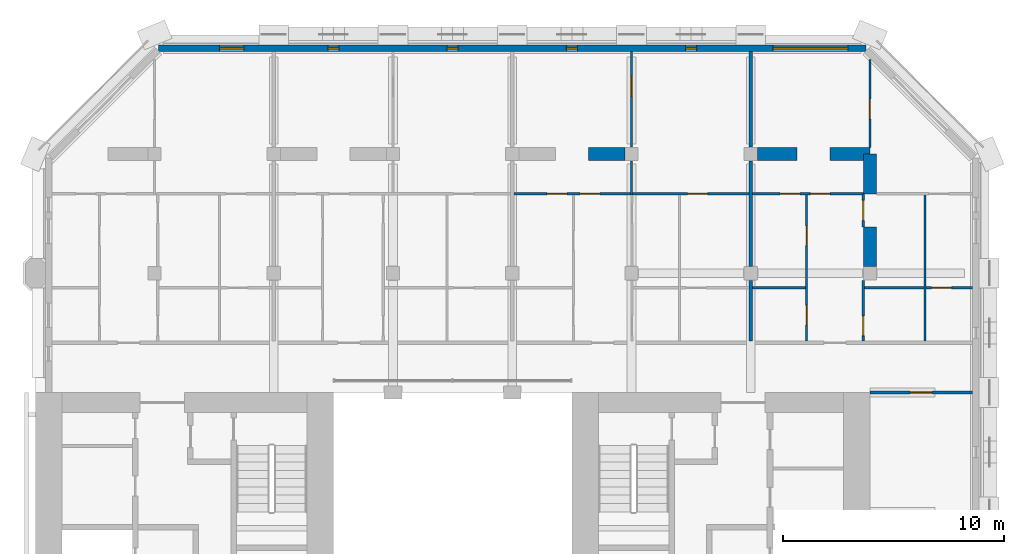
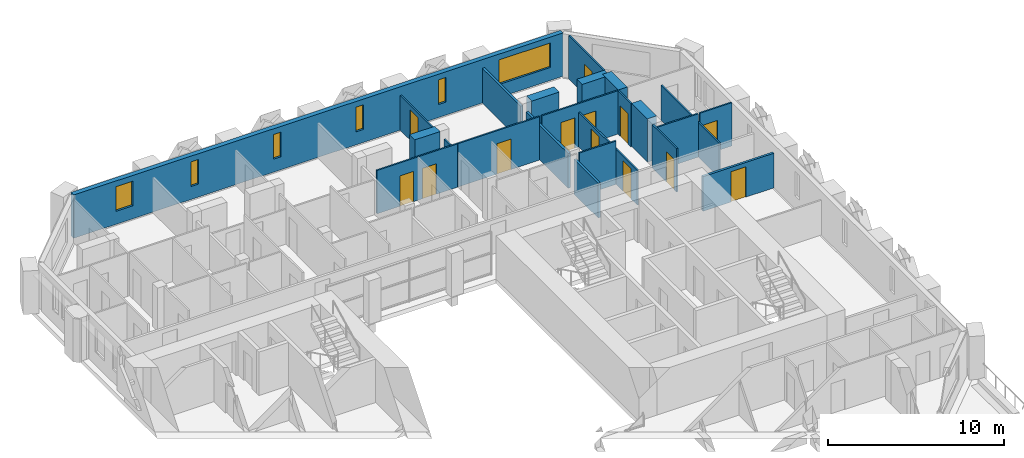
# One storey, part 13 of 17: 23 walls, 13 doors, 6 windows, 19 openings.
"""IFC4 building model written with IfcOpenShell, lengths in metres."""

from ifc_helpers import new_model, si_unit, direction, frame, frame_2d, origin, place, context, subcontext, project, spatial, rectangle, extrude, material, layer, layer_set, type_object, element, fill, save


model = new_model("IFC4")

# Units and contexts
model_context = context("Model", 3, precision=1e-05, world=origin(), true_north=direction((0.0, 1.0)))
body_context = subcontext(model_context, "Body", "Model", "MODEL_VIEW")
ifc_project = project(units=[si_unit("LENGTHUNIT", "METRE"), si_unit("AREAUNIT", "SQUARE_METRE"), si_unit("VOLUMEUNIT", "CUBIC_METRE"), si_unit("PLANEANGLEUNIT", "RADIAN"), si_unit("MASSUNIT", "GRAM", prefix="KILO")], contexts=[model_context])

# Site, building, storey
site_placement = place(None, origin())
site = spatial("IfcSite", under=ifc_project, at=site_placement, CompositionType="ELEMENT")
building_placement = place(site_placement, origin())
building = spatial("IfcBuilding", under=site, at=building_placement, Name="Tabaq Tower and Sports Hall", CompositionType="ELEMENT")
storey_placement = place(building_placement, frame((0.0, 0.0, 288.39990234375)))
storey = spatial("IfcBuildingStorey", under=building, at=storey_placement, Name="L71", CompositionType="ELEMENT", Elevation=288.39990234375)

# Wall
ifc_material_1 = material(Name="Gypsum board on steel studs", Category="steel")
ifc_layer_1 = layer(ifc_material_1, 0.10009765625)
ifc_layer_set_1 = layer_set([ifc_layer_1], Name="Partition 100 Gypsum board")
wall_type_1 = type_object("IfcWallType", Name="Partition 100 Gypsum board", PredefinedType="PARTITIONING", material=ifc_layer_set_1)
wall_1_placement = place(storey_placement, frame((32.39990234375, 41.35009765625, 0.0), z_axis=(0.0, 0.0, 1.0), x_axis=(0.0, 1.0, 0.0)))
element("IfcWall", 1, at=wall_1_placement, inside=storey, type_object=wall_type_1, Name="Partition wall L71", PredefinedType="PARTITIONING", context=body_context, shape_type="SweptSolid", body=[
    extrude(rectangle(XDim=1.52978515625, YDim=0.10009765625, at=frame_2d((0.764892578125, 0.0))), origin(), (0.0, 0.0, 1.0), 2.400146484375),
])

# Wall, opening, door
wall_2_placement = place(storey_placement, frame((32.39990234375, 43.52001953125, 0.0), z_axis=(0.0, 0.0, 1.0), x_axis=(0.0, 1.0, 0.0)))
wall_2 = element("IfcWall", 2, at=wall_2_placement, inside=storey, type_object=wall_type_1, Name="Partition wall L71", PredefinedType="PARTITIONING", context=body_context, shape_type="SweptSolid", body=[
    extrude(rectangle(XDim=4.3291015625, YDim=0.10009765625, at=frame_2d((2.16455078125, 0.0))), origin(), (0.0, 0.0, 1.0), 2.400146484375),
])
opening_1_placement = place(wall_2_placement, frame((2.304931640625, 0.0, 0.0)))
opening_1 = element("IfcOpeningElement", 3, at=opening_1_placement, cuts=wall_2, Name="Opening L71-039", PredefinedType="OPENING", context=body_context, shape_type="SweptSolid", body=[
    extrude(rectangle(XDim=0.89990234375, YDim=2.10009765625, at=frame_2d((0.449951171875, 1.050048828125))), frame((0.0, 0.050048828125, 0.0), z_axis=(0.0, -1.0, 0.0), x_axis=(1.0, 0.0, 0.0)), (0.0, 0.0, 1.0), 0.10009765625),
])
ifc_material_2 = material(Name="Timber leaf in steel frame", Category="steel")
door_type_1 = type_object("IfcDoorType", Name="Internal door 900 left hand", OperationType="SINGLE_SWING_LEFT", PredefinedType="DOOR", material=ifc_material_2)
door_1_placement = place(opening_1_placement, origin())
door_1 = element("IfcDoor", 4, at=door_1_placement, inside=storey, type_object=door_type_1, Name="Internal door L71-039", OperationType="SINGLE_SWING_LEFT", OverallHeight=2.10009765625, OverallWidth=0.89990234375, PredefinedType="DOOR", context=body_context, shape_type="SweptSolid", body=[
    extrude(rectangle(XDim=0.89990234375, YDim=2.10009765625, at=frame_2d((0.449951171875, 1.050048828125))), frame((0.0, 0.02490234375, 0.0), z_axis=(0.0, -1.0, 0.0), x_axis=(1.0, 0.0, 0.0)), (0.0, 0.0, 1.0), 0.050048828125),
])
fill(opening_1, door_1)

# Wall, openings, doors
wall_3_placement = place(storey_placement, frame((27.074951171875, 41.39990234375, 0.0), z_axis=(0.0, 0.0, 1.0), x_axis=(1.0, 0.0, 0.0)))
wall_3 = element("IfcWall", 5, at=wall_3_placement, inside=storey, type_object=wall_type_1, Name="Partition wall L71", PredefinedType="PARTITIONING", context=body_context, shape_type="SweptSolid", body=[
    extrude(rectangle(XDim=5.275146484375, YDim=0.10009765625, at=frame_2d((2.6376953125, 0.0))), origin(), (0.0, 0.0, 1.0), 3.0),
])
opening_2_placement = place(wall_3_placement, frame((1.4951171875, 0.0, 0.0)))
opening_2 = element("IfcOpeningElement", 6, at=opening_2_placement, cuts=wall_3, Name="Opening L71-040", PredefinedType="OPENING", context=body_context, shape_type="SweptSolid", body=[
    extrude(rectangle(XDim=0.89990234375, YDim=2.10009765625, at=frame_2d((0.449951171875, 1.050048828125))), frame((0.0, 0.050048828125, 0.0), z_axis=(0.0, -1.0, 0.0), x_axis=(1.0, 0.0, 0.0)), (0.0, 0.0, 1.0), 0.10009765625),
])
opening_3_placement = place(wall_3_placement, frame((2.9951171875, 0.0, 0.0)))
opening_3 = element("IfcOpeningElement", 7, at=opening_3_placement, cuts=wall_3, Name="Opening L71-054", PredefinedType="OPENING", context=body_context, shape_type="SweptSolid", body=[
    extrude(rectangle(XDim=0.89990234375, YDim=2.10009765625, at=frame_2d((0.449951171875, 1.050048828125))), frame((0.0, 0.050048828125, 0.0), z_axis=(0.0, -1.0, 0.0), x_axis=(1.0, 0.0, 0.0)), (0.0, 0.0, 1.0), 0.10009765625),
])
door_2_placement = place(opening_3_placement, origin())
door_2 = element("IfcDoor", 8, at=door_2_placement, inside=storey, type_object=door_type_1, Name="Internal door L71-054", OperationType="SINGLE_SWING_LEFT", OverallHeight=2.10009765625, OverallWidth=0.89990234375, PredefinedType="DOOR", context=body_context, shape_type="SweptSolid", body=[
    extrude(rectangle(XDim=0.89990234375, YDim=2.10009765625, at=frame_2d((0.449951171875, 1.050048828125))), frame((0.0, 0.02490234375, 0.0), z_axis=(0.0, -1.0, 0.0), x_axis=(1.0, 0.0, 0.0)), (0.0, 0.0, 1.0), 0.050048828125),
])
fill(opening_3, door_2)
ifc_material_3 = material(Name="Timber leaf in steel frame", Category="steel")
door_type_2 = type_object("IfcDoorType", Name="Internal door 900 right hand", OperationType="SINGLE_SWING_RIGHT", PredefinedType="DOOR", material=ifc_material_3)
door_3_placement = place(opening_2_placement, origin())
door_3 = element("IfcDoor", 9, at=door_3_placement, inside=storey, type_object=door_type_2, Name="Internal door L71-040", OperationType="SINGLE_SWING_RIGHT", OverallHeight=2.10009765625, OverallWidth=0.89990234375, PredefinedType="DOOR", context=body_context, shape_type="SweptSolid", body=[
    extrude(rectangle(XDim=0.89990234375, YDim=2.10009765625, at=frame_2d((0.449951171875, 1.050048828125))), frame((0.0, 0.02490234375, 0.0), z_axis=(0.0, -1.0, 0.0), x_axis=(1.0, 0.0, 0.0)), (0.0, 0.0, 1.0), 0.050048828125),
])
fill(opening_2, door_3)

# Wall, opening, door
wall_4_placement = place(storey_placement, frame((32.3701171875, 41.39990234375, 0.0), z_axis=(0.0, 0.0, 1.0), x_axis=(1.0, 0.0, 0.0)))
wall_4 = element("IfcWall", 10, at=wall_4_placement, inside=storey, type_object=wall_type_1, Name="Partition wall L71", PredefinedType="PARTITIONING", context=body_context, shape_type="SweptSolid", body=[
    extrude(rectangle(XDim=5.35498046875, YDim=0.10009765625, at=frame_2d((2.677490234375, 0.0))), origin(), (0.0, 0.0, 1.0), 3.0),
])
opening_4_placement = place(wall_4_placement, frame((2.577880859375, 0.0, 0.0)))
opening_4 = element("IfcOpeningElement", 11, at=opening_4_placement, cuts=wall_4, Name="Opening L71-041", PredefinedType="OPENING", context=body_context, shape_type="SweptSolid", body=[
    extrude(rectangle(XDim=0.89990234375, YDim=2.10009765625, at=frame_2d((0.449951171875, 1.050048828125))), frame((0.0, 0.050048828125, 0.0), z_axis=(0.0, -1.0, 0.0), x_axis=(1.0, 0.0, 0.0)), (0.0, 0.0, 1.0), 0.10009765625),
])
door_4_placement = place(opening_4_placement, origin())
door_4 = element("IfcDoor", 12, at=door_4_placement, inside=storey, type_object=door_type_1, Name="Internal door L71-041", OperationType="SINGLE_SWING_LEFT", OverallHeight=2.10009765625, OverallWidth=0.89990234375, PredefinedType="DOOR", context=body_context, shape_type="SweptSolid", body=[
    extrude(rectangle(XDim=0.89990234375, YDim=2.10009765625, at=frame_2d((0.449951171875, 1.050048828125))), frame((0.0, 0.02490234375, 0.0), z_axis=(0.0, -1.0, 0.0), x_axis=(1.0, 0.0, 0.0)), (0.0, 0.0, 1.0), 0.050048828125),
])
fill(opening_4, door_4)

wall_5_placement = place(storey_placement, frame((43.199951171875, 43.5009765625, 0.0), z_axis=(0.0, 0.0, 1.0), x_axis=(0.0, 1.0, 0.0)))
wall_5 = element("IfcWall", 13, at=wall_5_placement, inside=storey, type_object=wall_type_1, Name="Partition wall L71", PredefinedType="PARTITIONING", context=body_context, shape_type="SweptSolid", body=[
    extrude(rectangle(XDim=3.98681640625, YDim=0.10009765625, at=frame_2d((1.993408203125, 0.0))), origin(), (0.0, 0.0, 1.0), 3.0),
])
opening_5_placement = place(wall_5_placement, frame((1.285888671875, 0.0, 0.0)))
opening_5 = element("IfcOpeningElement", 14, at=opening_5_placement, cuts=wall_5, Name="Opening L71-043", PredefinedType="OPENING", context=body_context, shape_type="SweptSolid", body=[
    extrude(rectangle(XDim=0.89990234375, YDim=2.10009765625, at=frame_2d((0.449951171875, 1.050048828125))), frame((0.0, 0.050048828125, 0.0), z_axis=(0.0, -1.0, 0.0), x_axis=(1.0, 0.0, 0.0)), (0.0, 0.0, 1.0), 0.10009765625),
])
door_5_placement = place(opening_5_placement, origin())
door_5 = element("IfcDoor", 15, at=door_5_placement, inside=storey, type_object=door_type_1, Name="Internal door L71-043", OperationType="SINGLE_SWING_LEFT", OverallHeight=2.10009765625, OverallWidth=0.89990234375, PredefinedType="DOOR", context=body_context, shape_type="SweptSolid", body=[
    extrude(rectangle(XDim=0.89990234375, YDim=2.10009765625, at=frame_2d((0.449951171875, 1.050048828125))), frame((0.0, 0.02490234375, 0.0), z_axis=(0.0, -1.0, 0.0), x_axis=(1.0, 0.0, 0.0)), (0.0, 0.0, 1.0), 0.050048828125),
])
fill(opening_5, door_5)

# Wall, openings, doors
wall_6_placement = place(storey_placement, frame((37.875, 41.39990234375, 0.0), z_axis=(0.0, 0.0, 1.0), x_axis=(1.0, 0.0, 0.0)))
wall_6 = element("IfcWall", 16, at=wall_6_placement, inside=storey, type_object=wall_type_1, Name="Partition wall L71", PredefinedType="PARTITIONING", context=body_context, shape_type="SweptSolid", body=[
    extrude(rectangle(XDim=5.02392578125, YDim=0.10009765625, at=frame_2d((2.511962890625, 0.0))), origin(), (0.0, 0.0, 1.0), 3.0),
])
opening_6_placement = place(wall_6_placement, frame((1.256103515625, 0.0, 0.0)))
opening_6 = element("IfcOpeningElement", 17, at=opening_6_placement, cuts=wall_6, Name="Opening L71-044", PredefinedType="OPENING", context=body_context, shape_type="SweptSolid", body=[
    extrude(rectangle(XDim=0.89990234375, YDim=2.10009765625, at=frame_2d((0.449951171875, 1.050048828125))), frame((0.0, 0.050048828125, 0.0), z_axis=(0.0, -1.0, 0.0), x_axis=(1.0, 0.0, 0.0)), (0.0, 0.0, 1.0), 0.10009765625),
])
opening_7_placement = place(wall_6_placement, frame((2.6259765625, 0.0, 0.0)))
opening_7 = element("IfcOpeningElement", 18, at=opening_7_placement, cuts=wall_6, Name="Opening L71-055", PredefinedType="OPENING", context=body_context, shape_type="SweptSolid", body=[
    extrude(rectangle(XDim=0.89990234375, YDim=2.10009765625, at=frame_2d((0.449951171875, 1.050048828125))), frame((0.0, 0.050048828125, 0.0), z_axis=(0.0, -1.0, 0.0), x_axis=(1.0, 0.0, 0.0)), (0.0, 0.0, 1.0), 0.10009765625),
])
door_6_placement = place(opening_6_placement, origin())
door_6 = element("IfcDoor", 19, at=door_6_placement, inside=storey, type_object=door_type_1, Name="Internal door L71-044", OperationType="SINGLE_SWING_LEFT", OverallHeight=2.10009765625, OverallWidth=0.89990234375, PredefinedType="DOOR", context=body_context, shape_type="SweptSolid", body=[
    extrude(rectangle(XDim=0.89990234375, YDim=2.10009765625, at=frame_2d((0.449951171875, 1.050048828125))), frame((0.0, 0.02490234375, 0.0), z_axis=(0.0, -1.0, 0.0), x_axis=(1.0, 0.0, 0.0)), (0.0, 0.0, 1.0), 0.050048828125),
])
fill(opening_6, door_6)
door_7_placement = place(opening_7_placement, origin())
door_7 = element("IfcDoor", 20, at=door_7_placement, inside=storey, type_object=door_type_2, Name="Internal door L71-055", OperationType="SINGLE_SWING_RIGHT", OverallHeight=2.10009765625, OverallWidth=0.89990234375, PredefinedType="DOOR", context=body_context, shape_type="SweptSolid", body=[
    extrude(rectangle(XDim=0.89990234375, YDim=2.10009765625, at=frame_2d((0.449951171875, 1.050048828125))), frame((0.0, 0.02490234375, 0.0), z_axis=(0.0, -1.0, 0.0), x_axis=(1.0, 0.0, 0.0)), (0.0, 0.0, 1.0), 0.050048828125),
])
fill(opening_7, door_7)

# Wall
wall_7_placement = place(storey_placement, frame((37.875, 37.14990234375, 0.0), z_axis=(0.0, 0.0, 1.0), x_axis=(1.0, 0.0, 0.0)))
element("IfcWall", 21, at=wall_7_placement, inside=storey, type_object=wall_type_1, Name="Partition wall L71", PredefinedType="PARTITIONING", context=body_context, shape_type="SweptSolid", body=[
    extrude(rectangle(XDim=2.406005859375, YDim=0.10009765625, at=frame_2d((1.203125, 0.0))), origin(), (0.0, 0.0, 1.0), 3.0),
])

# Wall, openings, doors
wall_8_placement = place(storey_placement, frame((40.3310546875, 34.72509765625, 0.0), z_axis=(0.0, 0.0, 1.0), x_axis=(0.0, 1.0, 0.0)))
wall_8 = element("IfcWall", 22, at=wall_8_placement, inside=storey, type_object=wall_type_1, Name="Partition wall L71", PredefinedType="PARTITIONING", context=body_context, shape_type="SweptSolid", body=[
    extrude(rectangle(XDim=6.625, YDim=0.10009765625, at=frame_2d((3.3125, 0.0))), origin(), (0.0, 0.0, 1.0), 2.400146484375),
])
opening_8_placement = place(wall_8_placement, frame((0.72509765625, 0.0, 0.0)))
opening_8 = element("IfcOpeningElement", 23, at=opening_8_placement, cuts=wall_8, Name="Opening L71-013", PredefinedType="OPENING", context=body_context, shape_type="SweptSolid", body=[
    extrude(rectangle(XDim=0.89990234375, YDim=2.10009765625, at=frame_2d((0.449951171875, 1.050048828125))), frame((0.0, 0.050048828125, 0.0), z_axis=(0.0, -1.0, 0.0), x_axis=(1.0, 0.0, 0.0)), (0.0, 0.0, 1.0), 0.10009765625),
])
opening_9_placement = place(wall_8_placement, frame((4.3291015625, 0.0, 0.0)))
opening_9 = element("IfcOpeningElement", 24, at=opening_9_placement, cuts=wall_8, Name="Opening L71-046", PredefinedType="OPENING", context=body_context, shape_type="SweptSolid", body=[
    extrude(rectangle(XDim=0.89990234375, YDim=2.10009765625, at=frame_2d((0.449951171875, 1.050048828125))), frame((0.0, 0.050048828125, 0.0), z_axis=(0.0, -1.0, 0.0), x_axis=(1.0, 0.0, 0.0)), (0.0, 0.0, 1.0), 0.10009765625),
])
door_8_placement = place(opening_9_placement, origin())
door_8 = element("IfcDoor", 25, at=door_8_placement, inside=storey, type_object=door_type_1, Name="Internal door L71-046", OperationType="SINGLE_SWING_LEFT", OverallHeight=2.10009765625, OverallWidth=0.89990234375, PredefinedType="DOOR", context=body_context, shape_type="SweptSolid", body=[
    extrude(rectangle(XDim=0.89990234375, YDim=2.10009765625, at=frame_2d((0.449951171875, 1.050048828125))), frame((0.0, 0.02490234375, 0.0), z_axis=(0.0, -1.0, 0.0), x_axis=(1.0, 0.0, 0.0)), (0.0, 0.0, 1.0), 0.050048828125),
])
fill(opening_9, door_8)
door_9_placement = place(opening_8_placement, origin())
door_9 = element("IfcDoor", 26, at=door_9_placement, inside=storey, type_object=door_type_2, Name="Internal door L71-013", OperationType="SINGLE_SWING_RIGHT", OverallHeight=2.10009765625, OverallWidth=0.89990234375, PredefinedType="DOOR", context=body_context, shape_type="SweptSolid", body=[
    extrude(rectangle(XDim=0.89990234375, YDim=2.10009765625, at=frame_2d((0.449951171875, 1.050048828125))), frame((0.0, 0.02490234375, 0.0), z_axis=(0.0, -1.0, 0.0), x_axis=(1.0, 0.0, 0.0)), (0.0, 0.0, 1.0), 0.050048828125),
])
fill(opening_8, door_9)

# Wall, opening, door
wall_9_placement = place(storey_placement, frame((42.89990234375, 34.72509765625, 0.0), z_axis=(0.0, 0.0, 1.0), x_axis=(0.0, 1.0, 0.0)))
wall_9 = element("IfcWall", 27, at=wall_9_placement, inside=storey, type_object=wall_type_1, Name="Partition wall L71", PredefinedType="PARTITIONING", context=body_context, shape_type="SweptSolid", body=[
    extrude(rectangle(XDim=2.7548828125, YDim=0.10009765625, at=frame_2d((1.37744140625, 0.0))), origin(), (0.0, 0.0, 1.0), 3.0),
])
opening_10_placement = place(wall_9_placement, frame((0.25, 0.0, 0.0)))
opening_10 = element("IfcOpeningElement", 28, at=opening_10_placement, cuts=wall_9, Name="Opening L71-015", PredefinedType="OPENING", context=body_context, shape_type="SweptSolid", body=[
    extrude(rectangle(XDim=0.89990234375, YDim=2.10009765625, at=frame_2d((0.449951171875, 1.050048828125))), frame((0.0, 0.050048828125, 0.0), z_axis=(0.0, -1.0, 0.0), x_axis=(1.0, 0.0, 0.0)), (0.0, 0.0, 1.0), 0.10009765625),
])
door_10_placement = place(opening_10_placement, origin())
door_10 = element("IfcDoor", 29, at=door_10_placement, inside=storey, type_object=door_type_1, Name="Internal door L71-015", OperationType="SINGLE_SWING_LEFT", OverallHeight=2.10009765625, OverallWidth=0.89990234375, PredefinedType="DOOR", context=body_context, shape_type="SweptSolid", body=[
    extrude(rectangle(XDim=0.89990234375, YDim=2.10009765625, at=frame_2d((0.449951171875, 1.050048828125))), frame((0.0, 0.02490234375, 0.0), z_axis=(0.0, -1.0, 0.0), x_axis=(1.0, 0.0, 0.0)), (0.0, 0.0, 1.0), 0.050048828125),
])
fill(opening_10, door_10)

wall_10_placement = place(storey_placement, frame((42.89990234375, 39.89990234375, 0.0), z_axis=(0.0, 0.0, 1.0), x_axis=(0.0, 1.0, 0.0)))
wall_10 = element("IfcWall", 30, at=wall_10_placement, inside=storey, type_object=wall_type_1, Name="Partition wall L71", PredefinedType="PARTITIONING", context=body_context, shape_type="SweptSolid", body=[
    extrude(rectangle(XDim=1.5, YDim=0.10009765625, at=frame_2d((0.75, 0.0))), origin(), (0.0, 0.0, 1.0), 3.0),
])
opening_11_placement = place(wall_10_placement, frame((0.300048828125, 0.0, 0.0)))
opening_11 = element("IfcOpeningElement", 31, at=opening_11_placement, cuts=wall_10, Name="Opening L71-014", PredefinedType="OPENING", context=body_context, shape_type="SweptSolid", body=[
    extrude(rectangle(XDim=0.89990234375, YDim=2.10009765625, at=frame_2d((0.449951171875, 1.050048828125))), frame((0.0, 0.050048828125, 0.0), z_axis=(0.0, -1.0, 0.0), x_axis=(1.0, 0.0, 0.0)), (0.0, 0.0, 1.0), 0.10009765625),
])
door_11_placement = place(opening_11_placement, origin())
door_11 = element("IfcDoor", 32, at=door_11_placement, inside=storey, type_object=door_type_1, Name="Internal door L71-014", OperationType="SINGLE_SWING_LEFT", OverallHeight=2.10009765625, OverallWidth=0.89990234375, PredefinedType="DOOR", context=body_context, shape_type="SweptSolid", body=[
    extrude(rectangle(XDim=0.89990234375, YDim=2.10009765625, at=frame_2d((0.449951171875, 1.050048828125))), frame((0.0, 0.02490234375, 0.0), z_axis=(0.0, -1.0, 0.0), x_axis=(1.0, 0.0, 0.0)), (0.0, 0.0, 1.0), 0.050048828125),
])
fill(opening_11, door_11)

# Walls
wall_11_placement = place(storey_placement, frame((42.949951171875, 37.14990234375, 0.0), z_axis=(0.0, 0.0, 1.0), x_axis=(1.0, 0.0, 0.0)))
element("IfcWall", 33, at=wall_11_placement, inside=storey, type_object=wall_type_1, Name="Partition wall L71", PredefinedType="PARTITIONING", context=body_context, shape_type="SweptSolid", body=[
    extrude(rectangle(XDim=2.699951171875, YDim=0.10009765625, at=frame_2d((1.35009765625, 0.0))), origin(), (0.0, 0.0, 1.0), 3.0),
])
wall_12_placement = place(storey_placement, frame((45.699951171875, 34.72509765625, 0.0), z_axis=(0.0, 0.0, 1.0), x_axis=(0.0, 1.0, 0.0)))
element("IfcWall", 34, at=wall_12_placement, inside=storey, type_object=wall_type_1, Name="Partition wall L71", PredefinedType="PARTITIONING", context=body_context, shape_type="SweptSolid", body=[
    extrude(rectangle(XDim=6.625, YDim=0.10009765625, at=frame_2d((3.3125, 0.0))), origin(), (0.0, 0.0, 1.0), 2.400146484375),
])

# Wall, opening, door
wall_13_placement = place(storey_placement, frame((45.75, 37.14990234375, 0.0), z_axis=(0.0, 0.0, 1.0), x_axis=(1.0, 0.0, 0.0)))
wall_13 = element("IfcWall", 35, at=wall_13_placement, inside=storey, type_object=wall_type_1, Name="Partition wall L71", PredefinedType="PARTITIONING", context=body_context, shape_type="SweptSolid", body=[
    extrude(rectangle(XDim=2.09912109375, YDim=0.10009765625, at=frame_2d((1.049560546875, 0.0))), origin(), (0.0, 0.0, 1.0), 3.0),
])
opening_12_placement = place(wall_13_placement, frame((0.25, 0.0, 0.0)))
opening_12 = element("IfcOpeningElement", 36, at=opening_12_placement, cuts=wall_13, Name="Opening L71-016", PredefinedType="OPENING", context=body_context, shape_type="SweptSolid", body=[
    extrude(rectangle(XDim=0.89990234375, YDim=2.10009765625, at=frame_2d((0.449951171875, 1.050048828125))), frame((0.0, 0.050048828125, 0.0), z_axis=(0.0, -1.0, 0.0), x_axis=(1.0, 0.0, 0.0)), (0.0, 0.0, 1.0), 0.10009765625),
])
door_12_placement = place(opening_12_placement, origin())
door_12 = element("IfcDoor", 37, at=door_12_placement, inside=storey, type_object=door_type_1, Name="Internal door L71-016", OperationType="SINGLE_SWING_LEFT", OverallHeight=2.10009765625, OverallWidth=0.89990234375, PredefinedType="DOOR", context=body_context, shape_type="SweptSolid", body=[
    extrude(rectangle(XDim=0.89990234375, YDim=2.10009765625, at=frame_2d((0.449951171875, 1.050048828125))), frame((0.0, 0.02490234375, 0.0), z_axis=(0.0, -1.0, 0.0), x_axis=(1.0, 0.0, 0.0)), (0.0, 0.0, 1.0), 0.050048828125),
])
fill(opening_12, door_12)

# Walls
ifc_material_4 = material(Name="Concrete C40/50", Category="concrete")
ifc_layer_2 = layer(ifc_material_4, 0.60009765625)
ifc_layer_set_2 = layer_set([ifc_layer_2], Name="RC TRANSFER WALL 600 C40/50")
wall_type_2 = type_object("IfcWallType", Name="RC TRANSFER WALL 600 C40/50", PredefinedType="SHEAR", material=ifc_layer_set_2)
wall_14_placement = place(storey_placement, frame((43.199951171875, 38.10009765625, 0.0), z_axis=(0.0, 0.0, 1.0), x_axis=(0.0, 1.0, 0.0)))
element("IfcWall", 38, at=wall_14_placement, inside=storey, type_object=wall_type_2, Name="Transfer Wall L71 East 3", PredefinedType="SHEAR", context=body_context, shape_type="SweptSolid", body=[
    extrude(rectangle(XDim=1.7998046875, YDim=0.60009765625, at=frame_2d((0.89990234375, 0.0))), origin(), (0.0, 0.0, 1.0), 3.0),
])
wall_15_placement = place(storey_placement, frame((43.199951171875, 41.39990234375, 0.0), z_axis=(0.0, 0.0, 1.0), x_axis=(0.0, 1.0, 0.0)))
element("IfcWall", 39, at=wall_15_placement, inside=storey, type_object=wall_type_2, Name="Transfer Wall L71 East 4", PredefinedType="SHEAR", context=body_context, shape_type="SweptSolid", body=[
    extrude(rectangle(XDim=1.800048828125, YDim=0.60009765625, at=frame_2d((0.89990234375, 0.0))), origin(), (0.0, 0.0, 1.0), 3.0),
])
wall_16_placement = place(storey_placement, frame((30.449951171875, 43.199951171875, 0.0), z_axis=(0.0, 0.0, 1.0), x_axis=(1.0, 0.0, 0.0)))
element("IfcWall", 40, at=wall_16_placement, inside=storey, type_object=wall_type_2, Name="Transfer Wall L71 North 10", PredefinedType="SHEAR", context=body_context, shape_type="SweptSolid", body=[
    extrude(rectangle(XDim=1.650146484375, YDim=0.60009765625, at=frame_2d((0.8251953125, 0.0))), origin(), (0.0, 0.0, 1.0), 3.0),
])
wall_17_placement = place(storey_placement, frame((38.10009765625, 43.199951171875, 0.0), z_axis=(0.0, 0.0, 1.0), x_axis=(1.0, 0.0, 0.0)))
element("IfcWall", 41, at=wall_17_placement, inside=storey, type_object=wall_type_2, Name="Transfer Wall L71 North 11", PredefinedType="SHEAR", context=body_context, shape_type="SweptSolid", body=[
    extrude(rectangle(XDim=1.7998046875, YDim=0.60009765625, at=frame_2d((0.89990234375, 0.0))), origin(), (0.0, 0.0, 1.0), 3.0),
])
wall_18_placement = place(storey_placement, frame((41.39990234375, 43.199951171875, 0.0), z_axis=(0.0, 0.0, 1.0), x_axis=(1.0, 0.0, 0.0)))
element("IfcWall", 42, at=wall_18_placement, inside=storey, type_object=wall_type_2, Name="Transfer Wall L71 North 12", PredefinedType="SHEAR", context=body_context, shape_type="SweptSolid", body=[
    extrude(rectangle(XDim=1.800048828125, YDim=0.60009765625, at=frame_2d((0.89990234375, 0.0))), origin(), (0.0, 0.0, 1.0), 3.0),
])
ifc_material_5 = material(Name="Blockwork", Category="masonry")
ifc_layer_3 = layer(ifc_material_5, 0.14990234375)
ifc_layer_set_3 = layer_set([ifc_layer_3], Name="Separating wall 150 Blockwork")
wall_type_3 = type_object("IfcWallType", Name="Separating wall 150 Blockwork", PredefinedType="PARTITIONING", material=ifc_layer_set_3)
wall_19_placement = place(storey_placement, frame((37.800048828125, 43.52001953125, 0.0), z_axis=(0.0, 0.0, 1.0), x_axis=(0.0, 1.0, 0.0)))
element("IfcWall", 43, at=wall_19_placement, inside=storey, type_object=wall_type_3, Name="Separating wall L71", PredefinedType="PARTITIONING", context=body_context, shape_type="SweptSolid", body=[
    extrude(rectangle(XDim=4.3291015625, YDim=0.14990234375, at=frame_2d((2.16455078125, 0.0))), origin(), (0.0, 0.0, 1.0), 2.400146484375),
])
wall_20_placement = place(storey_placement, frame((37.800048828125, 38.1201171875, 0.0), z_axis=(0.0, 0.0, 1.0), x_axis=(0.0, 1.0, 0.0)))
element("IfcWall", 44, at=wall_20_placement, inside=storey, type_object=wall_type_3, Name="Separating wall L71", PredefinedType="PARTITIONING", context=body_context, shape_type="SweptSolid", body=[
    extrude(rectangle(XDim=4.759765625, YDim=0.14990234375, at=frame_2d((2.3798828125, 0.0))), origin(), (0.0, 0.0, 1.0), 2.400146484375),
])
wall_21_placement = place(storey_placement, frame((37.800048828125, 34.72509765625, 0.0), z_axis=(0.0, 0.0, 1.0), x_axis=(0.0, 1.0, 0.0)))
element("IfcWall", 45, at=wall_21_placement, inside=storey, type_object=wall_type_3, Name="Separating wall L71", PredefinedType="PARTITIONING", context=body_context, shape_type="SweptSolid", body=[
    extrude(rectangle(XDim=2.7548828125, YDim=0.14990234375, at=frame_2d((1.37744140625, 0.0))), origin(), (0.0, 0.0, 1.0), 2.400146484375),
])

# Wall, opening, door
wall_22_placement = place(storey_placement, frame((47.84912109375, 32.39990234375, 0.0), z_axis=(0.0, 0.0, 1.0), x_axis=(-1.0, 0.0, 0.0)))
wall_22 = element("IfcWall", 46, at=wall_22_placement, inside=storey, type_object=wall_type_3, Name="Separating wall L71", PredefinedType="PARTITIONING", context=body_context, shape_type="SweptSolid", body=[
    extrude(rectangle(XDim=4.649169921875, YDim=0.14990234375, at=frame_2d((2.32470703125, 0.0))), origin(), (0.0, 0.0, 1.0), 2.400146484375),
])
opening_13_placement = place(wall_22_placement, frame((1.823974609375, 0.0, 0.0)))
opening_13 = element("IfcOpeningElement", 47, at=opening_13_placement, cuts=wall_22, Name="Opening L71-017", PredefinedType="OPENING", context=body_context, shape_type="SweptSolid", body=[
    extrude(rectangle(XDim=1.0, YDim=2.10009765625, at=frame_2d((0.5, 1.050048828125))), frame((0.0, 0.074951171875, 0.0), z_axis=(0.0, -1.0, 0.0), x_axis=(1.0, 0.0, 0.0)), (0.0, 0.0, 1.0), 0.14990234375),
])
ifc_material_6 = material(Name="Timber leaf in steel frame", Category="steel")
door_type_3 = type_object("IfcDoorType", Name="Internal door 1000 left hand", OperationType="SINGLE_SWING_LEFT", PredefinedType="DOOR", material=ifc_material_6)
door_13_placement = place(opening_13_placement, origin())
door_13 = element("IfcDoor", 48, at=door_13_placement, inside=storey, type_object=door_type_3, Name="Internal door L71-017", OperationType="SINGLE_SWING_LEFT", OverallHeight=2.10009765625, OverallWidth=1.0, PredefinedType="DOOR", context=body_context, shape_type="SweptSolid", body=[
    extrude(rectangle(XDim=1.0, YDim=2.10009765625, at=frame_2d((0.5, 1.050048828125))), frame((0.0, 0.02490234375, 0.0), z_axis=(0.0, -1.0, 0.0), x_axis=(1.0, 0.0, 0.0)), (0.0, 0.0, 1.0), 0.050048828125),
])
fill(opening_13, door_13)

# Wall, openings, windows
ifc_material_7 = material(Name="White precast concrete C60/75", Category="concrete")
ifc_layer_4 = layer(ifc_material_7, 0.300048828125)
ifc_layer_set_4 = layer_set([ifc_layer_4], Name="White precast concrete C60/75 external wall 300")
wall_type_4 = type_object("IfcWallType", Name="White precast concrete C60/75 external wall 300", PredefinedType="SOLIDWALL", material=ifc_layer_set_4)
wall_23_placement = place(storey_placement, frame((43.013671875, 48.0, 0.0), z_axis=(0.0, 0.0, 1.0), x_axis=(-1.0, 0.0, 0.0)))
wall_23 = element("IfcWall", 49, at=wall_23_placement, inside=storey, type_object=wall_type_4, Name="External Wall L71 N", PredefinedType="SOLIDWALL", context=body_context, shape_type="SweptSolid", body=[
    extrude(rectangle(XDim=32.02734375, YDim=0.300048828125, at=frame_2d((16.013671875, 0.0))), origin(), (0.0, 0.0, 1.0), 3.0),
])
opening_14_placement = place(wall_23_placement, frame((0.813720703125, 0.0, 0.89990234375)))
opening_14 = element("IfcOpeningElement", 50, at=opening_14_placement, cuts=wall_23, Name="Opening W1A", PredefinedType="OPENING", context=body_context, shape_type="SweptSolid", body=[
    extrude(rectangle(XDim=3.39990234375, YDim=1.699951171875, at=frame_2d((1.699951171875, 0.85009765625))), frame((0.0, 0.16015625, 0.0), z_axis=(0.0, -1.0, 0.0), x_axis=(1.0, 0.0, 0.0)), (0.0, 0.0, 1.0), 0.320068359375),
])
opening_15_placement = place(wall_23_placement, frame((7.66357421875, 0.0, 0.89990234375)))
opening_15 = element("IfcOpeningElement", 51, at=opening_15_placement, cuts=wall_23, Name="Opening W1E", PredefinedType="OPENING", context=body_context, shape_type="SweptSolid", body=[
    extrude(rectangle(XDim=0.5, YDim=1.699951171875, at=frame_2d((0.25, 0.85009765625))), frame((0.0, 0.16015625, 0.0), z_axis=(0.0, -1.0, 0.0), x_axis=(1.0, 0.0, 0.0)), (0.0, 0.0, 1.0), 0.320068359375),
])
opening_16_placement = place(wall_23_placement, frame((13.063720703125, 0.0, 0.89990234375)))
opening_16 = element("IfcOpeningElement", 52, at=opening_16_placement, cuts=wall_23, Name="Opening W1E", PredefinedType="OPENING", context=body_context, shape_type="SweptSolid", body=[
    extrude(rectangle(XDim=0.5, YDim=1.699951171875, at=frame_2d((0.25, 0.85009765625))), frame((0.0, 0.16015625, 0.0), z_axis=(0.0, -1.0, 0.0), x_axis=(1.0, 0.0, 0.0)), (0.0, 0.0, 1.0), 0.320068359375),
])
opening_17_placement = place(wall_23_placement, frame((18.463623046875, 0.0, 0.89990234375)))
opening_17 = element("IfcOpeningElement", 53, at=opening_17_placement, cuts=wall_23, Name="Opening W1E", PredefinedType="OPENING", context=body_context, shape_type="SweptSolid", body=[
    extrude(rectangle(XDim=0.5, YDim=1.699951171875, at=frame_2d((0.25, 0.85009765625))), frame((0.0, 0.16015625, 0.0), z_axis=(0.0, -1.0, 0.0), x_axis=(1.0, 0.0, 0.0)), (0.0, 0.0, 1.0), 0.320068359375),
])
opening_18_placement = place(wall_23_placement, frame((23.863525390625, 0.0, 0.89990234375)))
opening_18 = element("IfcOpeningElement", 54, at=opening_18_placement, cuts=wall_23, Name="Opening W1E", PredefinedType="OPENING", context=body_context, shape_type="SweptSolid", body=[
    extrude(rectangle(XDim=0.5, YDim=1.699951171875, at=frame_2d((0.25, 0.85009765625))), frame((0.0, 0.16015625, 0.0), z_axis=(0.0, -1.0, 0.0), x_axis=(1.0, 0.0, 0.0)), (0.0, 0.0, 1.0), 0.320068359375),
])
opening_19_placement = place(wall_23_placement, frame((28.16357421875, 0.0, 0.89990234375)))
opening_19 = element("IfcOpeningElement", 55, at=opening_19_placement, cuts=wall_23, Name="Opening W1B", PredefinedType="OPENING", context=body_context, shape_type="SweptSolid", body=[
    extrude(rectangle(XDim=1.10009765625, YDim=1.699951171875, at=frame_2d((0.550048828125, 0.85009765625))), frame((0.0, 0.16015625, 0.0), z_axis=(0.0, -1.0, 0.0), x_axis=(1.0, 0.0, 0.0)), (0.0, 0.0, 1.0), 0.320068359375),
])
ifc_material_8 = material(Name="Aluminium framed clear glazing", Category="aluminium")
window_type_1 = type_object("IfcWindowType", Name="Window W1A", PartitioningType="SINGLE_PANEL", PredefinedType="WINDOW", material=ifc_material_8)
window_1_placement = place(opening_14_placement, origin())
window_1 = element("IfcWindow", 56, at=window_1_placement, inside=storey, type_object=window_type_1, Name="Window W1A L71", OverallHeight=1.699951171875, OverallWidth=3.39990234375, PartitioningType="SINGLE_PANEL", PredefinedType="WINDOW", context=body_context, shape_type="SweptSolid", body=[
    extrude(rectangle(XDim=3.39990234375, YDim=1.699951171875, at=frame_2d((1.699951171875, 0.85009765625))), frame((0.0, 0.030029296875, 0.0), z_axis=(0.0, -1.0, 0.0), x_axis=(1.0, 0.0, 0.0)), (0.0, 0.0, 1.0), 0.06005859375),
])
fill(opening_14, window_1)
ifc_material_9 = material(Name="Aluminium framed clear glazing", Category="aluminium")
window_type_2 = type_object("IfcWindowType", Name="Window W1B", PartitioningType="SINGLE_PANEL", PredefinedType="WINDOW", material=ifc_material_9)
window_2_placement = place(opening_19_placement, origin())
window_2 = element("IfcWindow", 57, at=window_2_placement, inside=storey, type_object=window_type_2, Name="Window W1B L71", OverallHeight=1.699951171875, OverallWidth=1.10009765625, PartitioningType="SINGLE_PANEL", PredefinedType="WINDOW", context=body_context, shape_type="SweptSolid", body=[
    extrude(rectangle(XDim=1.10009765625, YDim=1.699951171875, at=frame_2d((0.550048828125, 0.85009765625))), frame((0.0, 0.030029296875, 0.0), z_axis=(0.0, -1.0, 0.0), x_axis=(1.0, 0.0, 0.0)), (0.0, 0.0, 1.0), 0.06005859375),
])
fill(opening_19, window_2)
ifc_material_10 = material(Name="Aluminium framed clear glazing", Category="aluminium")
window_type_3 = type_object("IfcWindowType", Name="Window W1E", PartitioningType="SINGLE_PANEL", PredefinedType="WINDOW", material=ifc_material_10)
window_3_placement = place(opening_15_placement, origin())
window_3 = element("IfcWindow", 58, at=window_3_placement, inside=storey, type_object=window_type_3, Name="Window W1E L71", OverallHeight=1.699951171875, OverallWidth=0.5, PartitioningType="SINGLE_PANEL", PredefinedType="WINDOW", context=body_context, shape_type="SweptSolid", body=[
    extrude(rectangle(XDim=0.5, YDim=1.699951171875, at=frame_2d((0.25, 0.85009765625))), frame((0.0, 0.030029296875, 0.0), z_axis=(0.0, -1.0, 0.0), x_axis=(1.0, 0.0, 0.0)), (0.0, 0.0, 1.0), 0.06005859375),
])
fill(opening_15, window_3)
window_4_placement = place(opening_16_placement, origin())
window_4 = element("IfcWindow", 59, at=window_4_placement, inside=storey, type_object=window_type_3, Name="Window W1E L71", OverallHeight=1.699951171875, OverallWidth=0.5, PartitioningType="SINGLE_PANEL", PredefinedType="WINDOW", context=body_context, shape_type="SweptSolid", body=[
    extrude(rectangle(XDim=0.5, YDim=1.699951171875, at=frame_2d((0.25, 0.85009765625))), frame((0.0, 0.030029296875, 0.0), z_axis=(0.0, -1.0, 0.0), x_axis=(1.0, 0.0, 0.0)), (0.0, 0.0, 1.0), 0.06005859375),
])
fill(opening_16, window_4)
window_5_placement = place(opening_17_placement, origin())
window_5 = element("IfcWindow", 60, at=window_5_placement, inside=storey, type_object=window_type_3, Name="Window W1E L71", OverallHeight=1.699951171875, OverallWidth=0.5, PartitioningType="SINGLE_PANEL", PredefinedType="WINDOW", context=body_context, shape_type="SweptSolid", body=[
    extrude(rectangle(XDim=0.5, YDim=1.699951171875, at=frame_2d((0.25, 0.85009765625))), frame((0.0, 0.030029296875, 0.0), z_axis=(0.0, -1.0, 0.0), x_axis=(1.0, 0.0, 0.0)), (0.0, 0.0, 1.0), 0.06005859375),
])
fill(opening_17, window_5)
window_6_placement = place(opening_18_placement, origin())
window_6 = element("IfcWindow", 61, at=window_6_placement, inside=storey, type_object=window_type_3, Name="Window W1E L71", OverallHeight=1.699951171875, OverallWidth=0.5, PartitioningType="SINGLE_PANEL", PredefinedType="WINDOW", context=body_context, shape_type="SweptSolid", body=[
    extrude(rectangle(XDim=0.5, YDim=1.699951171875, at=frame_2d((0.25, 0.85009765625))), frame((0.0, 0.030029296875, 0.0), z_axis=(0.0, -1.0, 0.0), x_axis=(1.0, 0.0, 0.0)), (0.0, 0.0, 1.0), 0.06005859375),
])
fill(opening_18, window_6)

save(model, "model.ifc")
